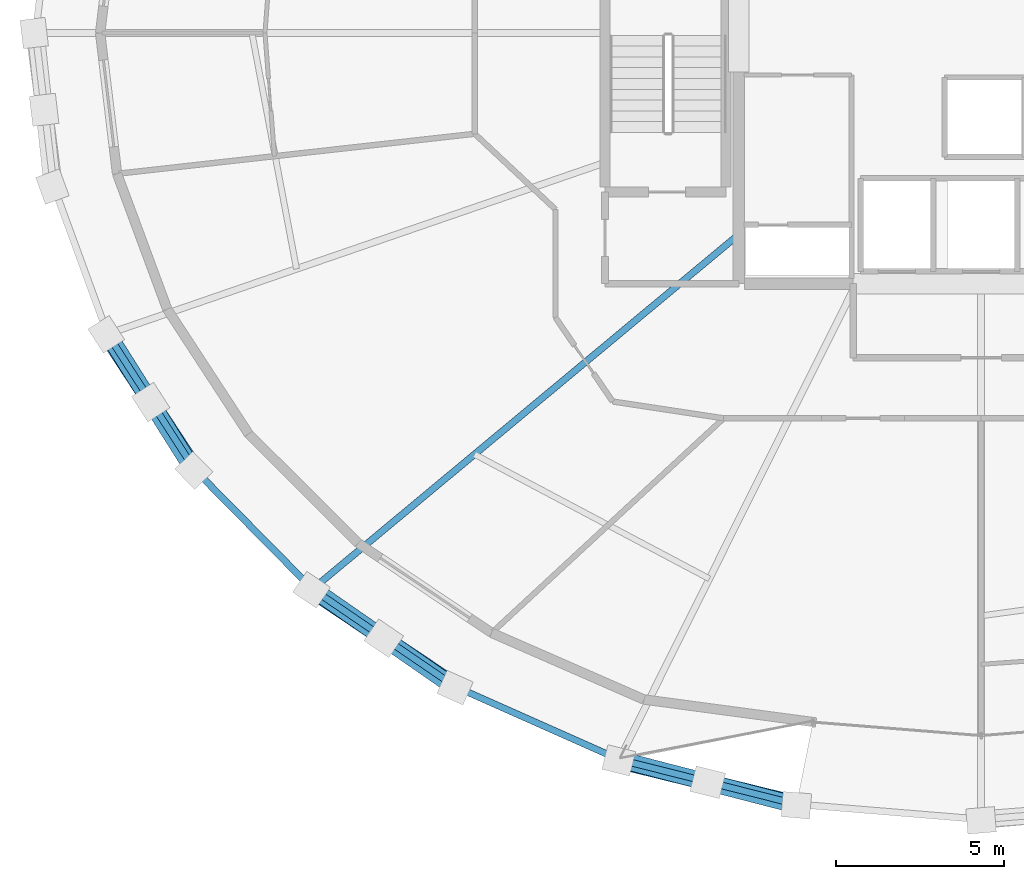
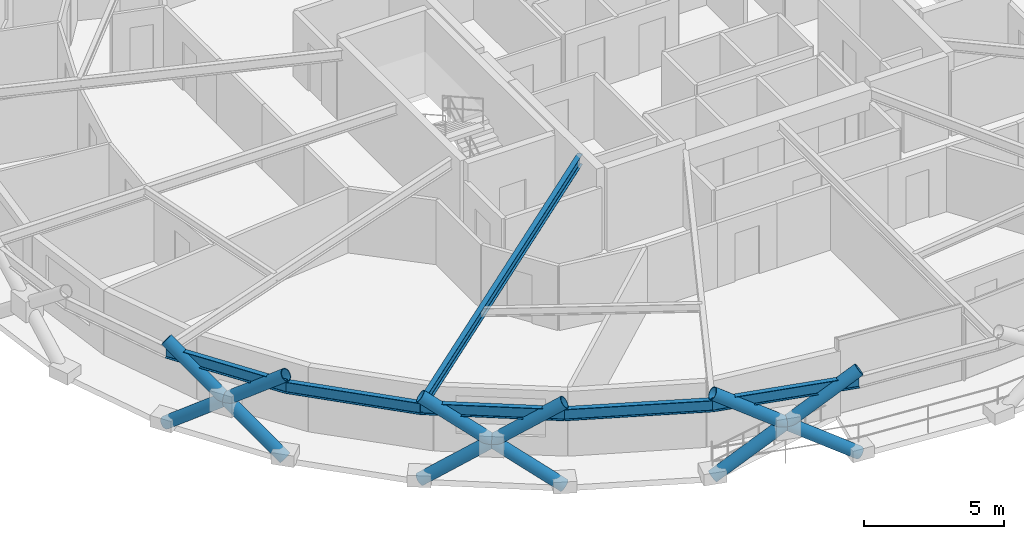
# One storey, part 1 of 19: 9 members, 6 beams.
"""IFC4 building model written with IfcOpenShell, lengths in metres."""

from ifc_helpers import new_model, si_unit, direction, frame, origin, origin_2d, place, context, subcontext, project, spatial, hollow_circle, i_section, extrude, material, material_profile, profile_set, type_object, element, save


model = new_model("IFC4")

# Units and contexts
model_context = context("Model", 3, precision=1e-05, world=origin(), true_north=direction((0.0, 1.0)))
body_context = subcontext(model_context, "Body", "Model", "MODEL_VIEW")
ifc_project = project(units=[si_unit("LENGTHUNIT", "METRE"), si_unit("AREAUNIT", "SQUARE_METRE"), si_unit("VOLUMEUNIT", "CUBIC_METRE"), si_unit("PLANEANGLEUNIT", "RADIAN"), si_unit("MASSUNIT", "GRAM", prefix="KILO")], contexts=[model_context])

# Site, building, storey
site_placement = place(None, origin())
site = spatial("IfcSite", under=ifc_project, at=site_placement, CompositionType="ELEMENT")
building_placement = place(site_placement, origin())
building = spatial("IfcBuilding", under=site, at=building_placement, Name="Veldorina Hangang Commons", CompositionType="ELEMENT")
storey_placement = place(building_placement, frame((0.0, 0.0, 164.0)))
storey = spatial("IfcBuildingStorey", under=building, at=storey_placement, Name="L42", CompositionType="ELEMENT", Elevation=164.0)

# Beams
ifc_material_1 = material(Name="Steel SM355-TMC", Category="steel")
ifc_material_profile_1 = material_profile(ifc_material_1, i_section(OverallWidth=0.199951171875, OverallDepth=0.449951171875, WebThickness=0.009033203125, FlangeThickness=0.013916015625, FilletRadius=0.01611328125, at=origin_2d()), Name="H-450x200x9x14")
ifc_profile_set_1 = profile_set([ifc_material_profile_1], Name="Steel SM355-TMC")
beam_type_1 = type_object("IfcBeamType", Name="BM-FG450", PredefinedType="BEAM", material=ifc_profile_set_1)
beam_1_placement = place(storey_placement, frame((24.800048828125, 18.011962890625, 3.125), z_axis=(-0.768854754689, -0.639423463905, 0.0), x_axis=(0.639423463905, -0.768854754689, 0.0)))
element("IfcBeam", 1, at=beam_1_placement, inside=storey, type_object=beam_type_1, Name="L42 radial floor girder 11", PredefinedType="BEAM", context=body_context, shape_type="SweptSolid", body=[
    extrude(i_section(OverallWidth=0.199951171875, OverallDepth=0.449951171875, WebThickness=0.009033203125, FlangeThickness=0.013916015625, FilletRadius=0.01611328125, at=origin_2d()), origin(), (0.0, 0.0, 1.0), 16.480224609375),
])
ifc_material_2 = material(Name="Steel SM420-TMC", Category="steel")
ifc_material_profile_2 = material_profile(ifc_material_2, i_section(OverallWidth=0.199951171875, OverallDepth=0.5, WebThickness=0.010009765625, FlangeThickness=0.01611328125, FilletRadius=0.01611328125, at=origin_2d()), Name="H-500x200x10x16")
ifc_profile_set_2 = profile_set([ifc_material_profile_2], Name="Steel SM420-TMC")
beam_type_2 = type_object("IfcBeamType", Name="BM-RB500", PredefinedType="BEAM", material=ifc_profile_set_2)
beam_2_placement = place(storey_placement, frame((6.037353515625, 15.056396484375, 3.10009765625), z_axis=(0.540652262191, -0.841246177636, 0.0), x_axis=(0.841246177636, 0.540652262191, 0.0)))
element("IfcBeam", 2, at=beam_2_placement, inside=storey, type_object=beam_type_2, Name="L42 perimeter hoop ring beam 18", PredefinedType="BEAM", context=body_context, shape_type="SweptSolid", body=[
    extrude(i_section(OverallWidth=0.199951171875, OverallDepth=0.5, WebThickness=0.010009765625, FlangeThickness=0.01611328125, FilletRadius=0.01611328125, at=origin_2d()), origin(), (0.0, 0.0, 1.0), 4.80322265625),
])
beam_3_placement = place(storey_placement, frame((8.63427734375, 11.015625, 3.10009765625), z_axis=(0.702405281063, -0.711777227182, 0.0), x_axis=(0.711777227182, 0.702405281063, 0.0)))
element("IfcBeam", 3, at=beam_3_placement, inside=storey, type_object=beam_type_2, Name="L42 perimeter hoop ring beam 19", PredefinedType="BEAM", context=body_context, shape_type="SweptSolid", body=[
    extrude(i_section(OverallWidth=0.199951171875, OverallDepth=0.5, WebThickness=0.010009765625, FlangeThickness=0.01611328125, FilletRadius=0.01611328125, at=origin_2d()), origin(), (0.0, 0.0, 1.0), 4.9755859375),
])
beam_4_placement = place(storey_placement, frame((12.129150390625, 7.47412109375, 3.10009765625), z_axis=(0.825924674368, -0.563780482343, 0.0), x_axis=(0.563780482343, 0.825924674368, 0.0)))
element("IfcBeam", 4, at=beam_4_placement, inside=storey, type_object=beam_type_2, Name="L42 perimeter hoop ring beam 20", PredefinedType="BEAM", context=body_context, shape_type="SweptSolid", body=[
    extrude(i_section(OverallWidth=0.199951171875, OverallDepth=0.5, WebThickness=0.010009765625, FlangeThickness=0.01611328125, FilletRadius=0.01611328125, at=origin_2d()), origin(), (0.0, 0.0, 1.0), 5.15576171875),
])
beam_5_placement = place(storey_placement, frame((16.387451171875, 4.5673828125, 3.10009765625), z_axis=(0.913785036824, -0.406198112349, 0.0), x_axis=(0.406198112349, 0.913785036824, 0.0)))
element("IfcBeam", 5, at=beam_5_placement, inside=storey, type_object=beam_type_2, Name="L42 perimeter hoop ring beam 21", PredefinedType="BEAM", context=body_context, shape_type="SweptSolid", body=[
    extrude(i_section(OverallWidth=0.199951171875, OverallDepth=0.5, WebThickness=0.010009765625, FlangeThickness=0.01611328125, FilletRadius=0.01611328125, at=origin_2d()), origin(), (0.0, 0.0, 1.0), 5.31689453125),
])
beam_6_placement = place(storey_placement, frame((21.245849609375, 2.40771484375, 3.10009765625), z_axis=(0.969625230059, -0.244595407221, 0.0), x_axis=(0.244595407221, 0.969625230059, 0.0)))
element("IfcBeam", 6, at=beam_6_placement, inside=storey, type_object=beam_type_2, Name="L42 perimeter hoop ring beam 22", PredefinedType="BEAM", context=body_context, shape_type="SweptSolid", body=[
    extrude(i_section(OverallWidth=0.199951171875, OverallDepth=0.5, WebThickness=0.010009765625, FlangeThickness=0.01611328125, FilletRadius=0.01611328125, at=origin_2d()), origin(), (0.0, 0.0, 1.0), 5.436767578125),
])

# Members
ifc_material_profile_3 = material_profile(ifc_material_2, hollow_circle(Radius=0.25, WallThickness=0.02490234375, at=origin_2d()), Name="CHS-500x25")
ifc_profile_set_3 = profile_set([ifc_material_profile_3], Name="Steel SM420-TMC")
member_type = type_object("IfcMemberType", Name="DG-CHS500", PredefinedType="BRACE", material=ifc_profile_set_3)
member_1_placement = place(storey_placement, frame((6.0, 15.04541015625, 0.0), z_axis=(0.439052139147, -0.669826584835, 0.598803444679), x_axis=(0.83634650219, 0.548201175003, 0.0)))
element("IfcMember", 7, at=member_1_placement, inside=storey, type_object=member_type, Name="L42 continuous perimeter diagrid brace 18", PredefinedType="BRACE", context=body_context, shape_type="SweptSolid", body=[
    extrude(hollow_circle(Radius=0.25, WallThickness=0.02490234375, at=origin_2d()), origin(), (0.0, 0.0, 1.0), 6.01220703125),
])
member_2_placement = place(storey_placement, frame((8.6005859375, 11.0, 0.0), z_axis=(-0.42649004891, 0.676591233639, 0.600275387421), x_axis=(-0.845957526067, -0.533250282785, 0.0)))
element("IfcMember", 8, at=member_2_placement, inside=storey, type_object=member_type, Name="L42 split perimeter diagrid lower brace 19", PredefinedType="BRACE", context=body_context, shape_type="SweptSolid", body=[
    extrude(hollow_circle(Radius=0.25, WallThickness=0.02490234375, at=origin_2d()), origin(), (0.0, 0.0, 1.0), 3.000732421875),
])
member_3_placement = place(storey_placement, frame((7.32080078125, 13.0302734375, 1.80126953125), z_axis=(-0.426267177286, 0.676715438559, 0.600293685444), x_axis=(-0.846127351641, -0.532980773391, 0.0)))
element("IfcMember", 9, at=member_3_placement, inside=storey, type_object=member_type, Name="L42 split perimeter diagrid upper brace 19", PredefinedType="BRACE", context=body_context, shape_type="SweptSolid", body=[
    extrude(hollow_circle(Radius=0.25, WallThickness=0.02490234375, at=origin_2d()), origin(), (0.0, 0.0, 1.0), 2.99658203125),
])
member_4_placement = place(storey_placement, frame((12.1005859375, 7.4541015625, 0.0), z_axis=(0.681122446817, -0.457647311484, 0.571516535835), x_axis=(0.557704828538, 0.83003935101, 0.0)))
element("IfcMember", 10, at=member_4_placement, inside=storey, type_object=member_type, Name="L42 continuous perimeter diagrid brace 20", PredefinedType="BRACE", context=body_context, shape_type="SweptSolid", body=[
    extrude(hollow_circle(Radius=0.25, WallThickness=0.02490234375, at=origin_2d()), origin(), (0.0, 0.0, 1.0), 6.29931640625),
])
member_5_placement = place(storey_placement, frame((16.364990234375, 4.5439453125, 0.0), z_axis=(-0.673555766998, 0.466821597535, 0.573062147432), x_axis=(-0.569633693248, -0.821898689326, 0.0)))
element("IfcMember", 11, at=member_5_placement, inside=storey, type_object=member_type, Name="L42 split perimeter diagrid lower brace 21", PredefinedType="BRACE", context=body_context, shape_type="SweptSolid", body=[
    extrude(hollow_circle(Radius=0.25, WallThickness=0.02490234375, at=origin_2d()), origin(), (0.0, 0.0, 1.0), 3.1435546875),
])
member_6_placement = place(storey_placement, frame((14.24755859375, 6.011474609375, 1.801513671875), z_axis=(-0.673449812976, 0.467012321218, 0.573031274219), x_axis=(-0.56985141037, -0.821747753328, 0.0)))
element("IfcMember", 12, at=member_6_placement, inside=storey, type_object=member_type, Name="L42 split perimeter diagrid upper brace 21", PredefinedType="BRACE", context=body_context, shape_type="SweptSolid", body=[
    extrude(hollow_circle(Radius=0.25, WallThickness=0.02490234375, at=origin_2d()), origin(), (0.0, 0.0, 1.0), 3.138671875),
])
member_7_placement = place(storey_placement, frame((21.23046875, 2.381591796875, 0.0), z_axis=(0.81009409617, -0.199036091585, 0.551481812572), x_axis=(0.238598913298, 0.971118200104, 0.0)))
element("IfcMember", 13, at=member_7_placement, inside=storey, type_object=member_type, Name="L42 continuous perimeter diagrid brace 22", PredefinedType="BRACE", context=body_context, shape_type="SweptSolid", body=[
    extrude(hollow_circle(Radius=0.25, WallThickness=0.02490234375, at=origin_2d()), origin(), (0.0, 0.0, 1.0), 6.528076171875),
])
member_8_placement = place(storey_placement, frame((26.509765625, 1.050048828125, 0.0), z_axis=(-0.807111390077, 0.208868603589, 0.552218353953), x_axis=(-0.250532234446, -0.968108258153, 0.0)))
element("IfcMember", 14, at=member_8_placement, inside=storey, type_object=member_type, Name="L42 split perimeter diagrid lower brace 23", PredefinedType="BRACE", context=body_context, shape_type="SweptSolid", body=[
    extrude(hollow_circle(Radius=0.25, WallThickness=0.02490234375, at=origin_2d()), origin(), (0.0, 0.0, 1.0), 3.26220703125),
])
member_9_placement = place(storey_placement, frame((23.876708984375, 1.7314453125, 1.801513671875), z_axis=(-0.807053757964, 0.208997387814, 0.552253857971), x_axis=(-0.250693779484, -0.968066438282, 0.0)))
element("IfcMember", 15, at=member_9_placement, inside=storey, type_object=member_type, Name="L42 split perimeter diagrid upper brace 23", PredefinedType="BRACE", context=body_context, shape_type="SweptSolid", body=[
    extrude(hollow_circle(Radius=0.25, WallThickness=0.02490234375, at=origin_2d()), origin(), (0.0, 0.0, 1.0), 3.2568359375),
])

save(model, "model.ifc")
